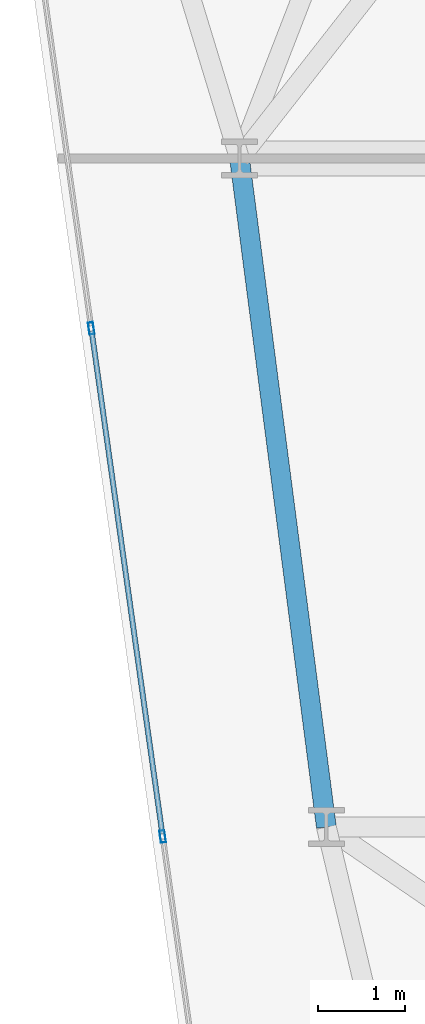
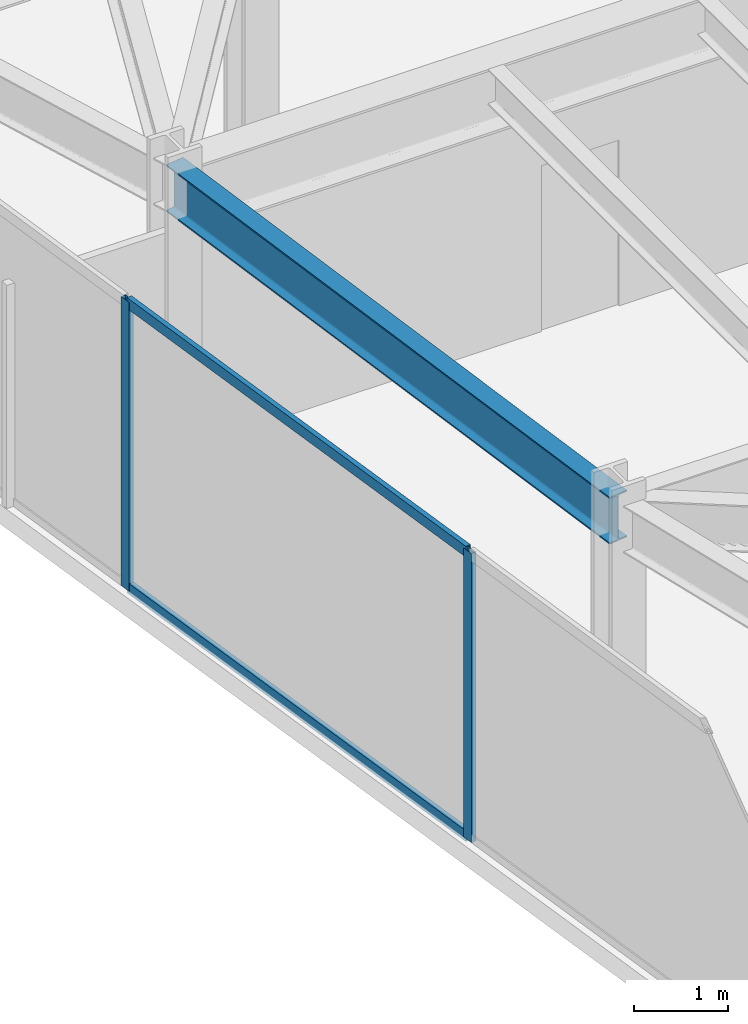
# One storey, part 5 of 26: 4 members, 1 beam, 1 element without a shape of its own.
"""IFC4 building model written with IfcOpenShell, lengths in metres."""

from ifc_helpers import new_model, si_unit, direction, frame, origin, origin_2d, place, context, subcontext, project, spatial, hollow_rectangle, i_section, extrude, material, layer, layer_set, material_profile, profile_set, type_object, element, aggregate, save


model = new_model("IFC4")

# Units and contexts
model_context = context("Model", 3, precision=1e-05, world=origin(), true_north=direction((0.0, 1.0)))
body_context = subcontext(model_context, "Body", "Model", "MODEL_VIEW")
ifc_project = project(units=[si_unit("LENGTHUNIT", "METRE"), si_unit("AREAUNIT", "SQUARE_METRE"), si_unit("VOLUMEUNIT", "CUBIC_METRE"), si_unit("PLANEANGLEUNIT", "RADIAN"), si_unit("MASSUNIT", "GRAM", prefix="KILO")], contexts=[model_context])

# Site, building, storey
site_placement = place(None, origin())
site = spatial("IfcSite", under=ifc_project, at=site_placement, CompositionType="ELEMENT")
building_placement = place(site_placement, origin())
building = spatial("IfcBuilding", under=site, at=building_placement, Name="Kravanh Interchange Tower", CompositionType="ELEMENT")
storey_placement = place(building_placement, frame((0.0, 0.0, 144.0)))
storey = spatial("IfcBuildingStorey", under=building, at=storey_placement, Name="L34", CompositionType="ELEMENT", Elevation=144.0)

# Curtain wall, members
ifc_material_1 = material(Name="Anodised Bronze Aluminium", Category="aluminium")
ifc_layer = layer(ifc_material_1, 0.179931640625)
ifc_layer_set = layer_set([ifc_layer], Name="Unitised Curtain Wall System CW-Z2 Mid Office")
curtain_wall_type = type_object("IfcCurtainWallType", Name="Unitised Curtain Wall System CW-Z2 Mid Office", PredefinedType="NOTDEFINED", material=ifc_layer_set)
curtain_wall_placement = place(storey_placement, origin())
curtain_wall = element("IfcCurtainWall", 1, at=curtain_wall_placement, inside=storey, type_object=curtain_wall_type, Name="L34 Unitised Curtain Wall CW-L34-01", PredefinedType="NOTDEFINED")
ifc_material_2 = material(Name="Anodised Bronze Aluminium", Category="aluminium")
ifc_material_profile_1 = material_profile(ifc_material_2, hollow_rectangle(XDim=0.06005859375, YDim=0.139892578125, WallThickness=0.00390625, at=origin_2d()), Name="ALU60X140X4")
ifc_profile_set_1 = profile_set([ifc_material_profile_1], Name="Anodised Bronze Aluminium")
member_type_1 = type_object("IfcMemberType", Name="Curtain Wall Mullion ALU60X140X4 Bronze", PredefinedType="MULLION", material=ifc_profile_set_1)
member_1_placement = place(storey_placement, frame((14.114990234375, 14.390869140625, 0.0), z_axis=(0.0, 0.0, 1.0), x_axis=(-0.990268103846, -0.13917285118, 0.0)))
member_1 = element("IfcMember", 2, at=member_1_placement, type_object=member_type_1, Name="CW-Z2 mullion 2", PredefinedType="MULLION", context=body_context, shape_type="SweptSolid", body=[
    extrude(hollow_rectangle(XDim=0.06005859375, YDim=0.139892578125, WallThickness=0.00390625, at=origin_2d()), origin(), (0.0, 0.0, 1.0), 3.75),
])
member_2_placement = place(storey_placement, frame((13.29248046875, 20.2431640625, 0.0), z_axis=(0.0, 0.0, 1.0), x_axis=(-0.990268103846, -0.13917285118, 0.0)))
member_2 = element("IfcMember", 3, at=member_2_placement, type_object=member_type_1, Name="CW-Z2 mullion 3", PredefinedType="MULLION", context=body_context, shape_type="SweptSolid", body=[
    extrude(hollow_rectangle(XDim=0.06005859375, YDim=0.139892578125, WallThickness=0.00390625, at=origin_2d()), origin(), (0.0, 0.0, 1.0), 3.75),
])
ifc_material_3 = material(Name="Anodised Bronze Aluminium", Category="aluminium")
ifc_material_profile_2 = material_profile(ifc_material_3, hollow_rectangle(XDim=0.06005859375, YDim=0.139892578125, WallThickness=0.00390625, at=origin_2d()), Name="ALU60X140X4")
ifc_profile_set_2 = profile_set([ifc_material_profile_2], Name="Anodised Bronze Aluminium")
member_type_2 = type_object("IfcMemberType", Name="Curtain Wall Transom ALU60X140X4 Bronze", PredefinedType="USERDEFINED", material=ifc_profile_set_2)
member_3_placement = place(storey_placement, frame((14.11083984375, 14.420654296875, 0.030029296875), z_axis=(-0.139183212647, 0.990266647584, 0.0), x_axis=(-0.990266647584, -0.139183212647, 0.0)))
member_3 = element("IfcMember", 4, at=member_3_placement, type_object=member_type_2, Name="CW-Z2 transom 2.1", ObjectType="TRANSOM", PredefinedType="USERDEFINED", context=body_context, shape_type="SweptSolid", body=[
    extrude(hollow_rectangle(XDim=0.06005859375, YDim=0.139892578125, WallThickness=0.00390625, at=origin_2d()), origin(), (0.0, 0.0, 1.0), 5.849853515625),
])
member_4_placement = place(storey_placement, frame((14.11083984375, 14.420654296875, 3.719970703125), z_axis=(-0.139183212647, 0.990266647584, 0.0), x_axis=(-0.990266647584, -0.139183212647, 0.0)))
member_4 = element("IfcMember", 5, at=member_4_placement, type_object=member_type_2, Name="CW-Z2 transom 2.2", ObjectType="TRANSOM", PredefinedType="USERDEFINED", context=body_context, shape_type="SweptSolid", body=[
    extrude(hollow_rectangle(XDim=0.06005859375, YDim=0.139892578125, WallThickness=0.00390625, at=origin_2d()), origin(), (0.0, 0.0, 1.0), 5.849853515625),
])
aggregate(curtain_wall, [member_1, member_2, member_3, member_4])

# Beam
ifc_material_4 = material(Name="Structural Steel S355", Category="steel")
ifc_material_profile_3 = material_profile(ifc_material_4, i_section(OverallWidth=0.22802734375, OverallDepth=0.60791015625, WebThickness=0.01123046875, FlangeThickness=0.017333984375, FilletRadius=0.02197265625, at=origin_2d()), Name="W24X76")
ifc_profile_set_3 = profile_set([ifc_material_profile_3], Name="Structural Steel S355")
beam_type = type_object("IfcBeamType", Name="Floor Spandrel W24X76 Structural Steel S355", PredefinedType="SPANDREL", material=ifc_profile_set_3)
beam_placement = place(storey_placement, frame((16.0, 14.5, 3.446044921875), z_axis=(-0.128789384125, 0.99167196922, 0.0), x_axis=(-0.99167196922, -0.128789384125, 0.0)))
element("IfcBeam", 6, at=beam_placement, inside=storey, type_object=beam_type, Name="L34 Perimeter Spandrel 100", PredefinedType="SPANDREL", context=body_context, shape_type="SweptSolid", body=[
    extrude(i_section(OverallWidth=0.22802734375, OverallDepth=0.60791015625, WebThickness=0.01123046875, FlangeThickness=0.017333984375, FilletRadius=0.02197265625, at=origin_2d()), origin(), (0.0, 0.0, 1.0), 7.7646484375),
])

save(model, "model.ifc")
